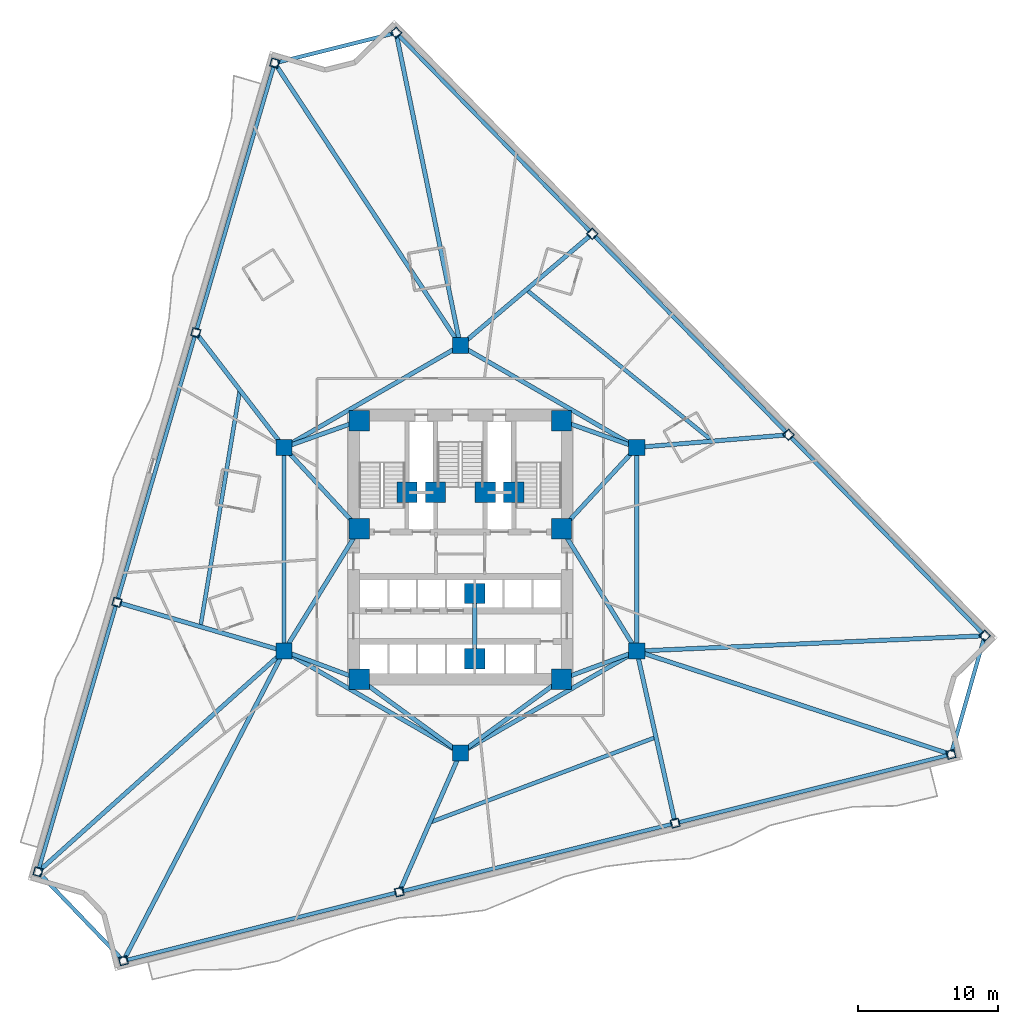
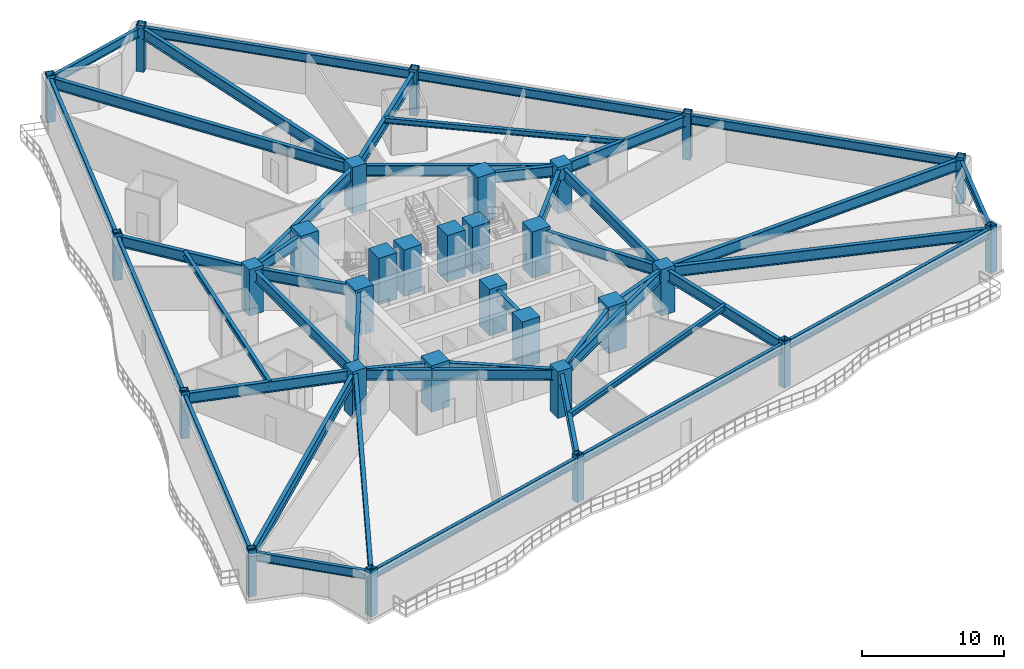
# One storey, part 1 of 9: 44 beams, 30 columns.
"""IFC4 building model written with IfcOpenShell, lengths in metres."""

import ifcopenshell
import ifcopenshell.guid

model = None  # the IFC model being written
_history = None  # IfcOwnerHistory: only IFC2X3 demands one
_inside = {}  # id of a spatial element -> (the spatial element, [elements in it])
_under = {}  # id of a project, library or spatial element -> (it, [spatial elements below it])
_declared = {}  # id of a project -> (the project, [libraries it declares])
_typed = {}  # id of a type object -> (the type object, [elements of that type])
_made_of = {}  # id of a material, layer set ... -> (it, [elements and type objects made of it])


def new_model(schema):
    """Start an empty IFC model of exactly this schema.

    Asked for "IFC4X3", IfcOpenShell would pick the latest addendum, in which some entities
    have other attributes; the version numbers below select the first issue.
    IFC2X3 requires an IfcOwnerHistory on every rooted entity: one is made here for all.
    """
    global model, _history
    if schema == "IFC4X3":
        model = ifcopenshell.file(schema_version=(4, 3, 0, 0))
    else:
        model = ifcopenshell.file(schema=schema)
    _inside.clear()
    _under.clear()
    _declared.clear()
    _typed.clear()
    _made_of.clear()
    _history = None
    if model.schema == "IFC2X3":
        org = make("IfcOrganization", Name="unknown")
        user = make(
            "IfcPersonAndOrganization",
            ThePerson=make("IfcPerson", FamilyName="unknown"),
            TheOrganization=org,
        )
        app = make(
            "IfcApplication",
            ApplicationDeveloper=org,
            Version="unknown",
            ApplicationFullName="unknown",
            ApplicationIdentifier="unknown",
        )
        _history = make(
            "IfcOwnerHistory",
            OwningUser=user,
            OwningApplication=app,
            ChangeAction="ADDED",
            CreationDate=0,
        )
    return model


def make(cls, **values):
    """One entity of the class cls with the attributes given. An attribute that is None is left unset."""
    return model.create_entity(
        cls, **{name: value for name, value in values.items() if value is not None}
    )


def rooted(cls, **values):
    """An entity with a GlobalId (a new one), such as an element, a storey or a relation."""
    return make(cls, GlobalId=ifcopenshell.guid.new(), OwnerHistory=_history, **values)


def si_unit(unit_type, name, prefix=None):
    """IfcSIUnit, for example si_unit("LENGTHUNIT", "METRE", prefix="MILLI")."""
    return make("IfcSIUnit", UnitType=unit_type, Prefix=prefix, Name=name)


def assignment(units):
    """IfcUnitAssignment: the units of a project."""
    return None if units is None else make("IfcUnitAssignment", Units=units)


def point(xyz):
    """IfcCartesianPoint."""
    return None if xyz is None else make("IfcCartesianPoint", Coordinates=xyz)


def direction(xyz):
    """IfcDirection."""
    return None if xyz is None else make("IfcDirection", DirectionRatios=xyz)


def frame(location, z_axis=None, x_axis=None):
    """IfcAxis2Placement3D, a coordinate frame: its origin and axes. An axis left out is left unset."""
    return make(
        "IfcAxis2Placement3D",
        Location=point(location),
        Axis=direction(z_axis),
        RefDirection=direction(x_axis),
    )


def frame_2d(location, x_axis=None):
    """IfcAxis2Placement2D, a coordinate frame in the plane: its origin and x axis."""
    return make(
        "IfcAxis2Placement2D", Location=point(location), RefDirection=direction(x_axis)
    )


def origin():
    """The frame at (0, 0, 0) with its axes left unset."""
    return frame((0.0, 0.0, 0.0))


def origin_2d():
    """The frame at (0, 0) in the plane with its x axis left unset."""
    return frame_2d((0.0, 0.0))


def place(relative_to, where):
    """IfcLocalPlacement: puts the frame where relative to a parent placement (None: the world)."""
    return make(
        "IfcLocalPlacement", PlacementRelTo=relative_to, RelativePlacement=where
    )


def context(
    kind, dimensions, precision=None, world=None, true_north=None, identifier=None
):
    """IfcGeometricRepresentationContext, for example the 3D "Model" context."""
    return make(
        "IfcGeometricRepresentationContext",
        ContextIdentifier=identifier,
        ContextType=kind,
        CoordinateSpaceDimension=dimensions,
        Precision=precision,
        WorldCoordinateSystem=world,
        TrueNorth=true_north,
    )


def subcontext(parent, identifier, kind, view, scale=None):
    """IfcGeometricRepresentationSubContext, for example "Body" below "Model"."""
    return make(
        "IfcGeometricRepresentationSubContext",
        ContextIdentifier=identifier,
        ContextType=kind,
        ParentContext=parent,
        TargetScale=scale,
        TargetView=view,
    )


def project(units=None, contexts=None):
    """IfcProject with its units and contexts."""
    return rooted(
        "IfcProject",
        Name="project",
        RepresentationContexts=contexts,
        UnitsInContext=assignment(units),
    )


def spatial(cls, under=None, at=None, **own):
    """A site, building, storey or space (cls), placed at a placement, below another one or the project."""
    s = rooted(cls, ObjectPlacement=at, **own)
    if under is not None:
        _under.setdefault(under.id(), (under, []))[1].append(s)
    return s


def profile(cls, at=None, kind="AREA", **sizes):
    """A parametric profile (cls). Its sizes go by their IFC names, for example OverallWidth=200.0."""
    return make(cls, ProfileType=kind, Position=at, **sizes)


def rectangle(**sizes):
    """IfcRectangleProfileDef."""
    return profile("IfcRectangleProfileDef", **sizes)


def hollow_rectangle(**sizes):
    """IfcRectangleHollowProfileDef."""
    return profile("IfcRectangleHollowProfileDef", **sizes)


def i_section(**sizes):
    """IfcIShapeProfileDef."""
    return profile("IfcIShapeProfileDef", **sizes)


def extrude(swept, where, along, depth):
    """IfcExtrudedAreaSolid: the profile swept, set in the frame where, extruded along a direction by depth."""
    return make(
        "IfcExtrudedAreaSolid",
        SweptArea=swept,
        Position=where,
        ExtrudedDirection=direction(along),
        Depth=depth,
    )


def shape(context_of_items, identifier, shape_type, items):
    """IfcShapeRepresentation: the items that make up one representation, for example the "Body"."""
    return make(
        "IfcShapeRepresentation",
        ContextOfItems=context_of_items,
        RepresentationIdentifier=identifier,
        RepresentationType=shape_type,
        Items=items,
    )


def material(Name=None, Category=None):
    """IfcMaterial."""
    return make("IfcMaterial", Name=Name, Category=Category)


def material_profile(
    of_material, cross_section, Name=None, Category=None, Priority=None
):
    """IfcMaterialProfile: a cross section and its material."""
    return make(
        "IfcMaterialProfile",
        Name=Name,
        Material=of_material,
        Profile=cross_section,
        Priority=Priority,
        Category=Category,
    )


def profile_set(profiles, Name=None, composite=None):
    """IfcMaterialProfileSet."""
    return make(
        "IfcMaterialProfileSet",
        Name=Name,
        MaterialProfiles=profiles,
        CompositeProfile=composite,
    )


def made_of(thing, what):
    """Note that an element or type object is made of a material, layer set ...; save() writes the relation."""
    if what is not None:
        _made_of.setdefault(what.id(), (what, []))[1].append(thing)
    return thing


def type_object(cls, material=None, **own):
    """A type object (cls), such as IfcWallType, which elements share."""
    return made_of(rooted(cls, **own), material)


def element(
    cls,
    number,
    at=None,
    inside=None,
    cuts=None,
    type_object=None,
    material=None,
    context=None,
    identifier="Body",
    shape_type=None,
    held_by="IfcProductDefinitionShape",
    body=None,
    shapes=None,
    **own,
):
    """One element of the class cls, such as IfcWall. Its Tag is "e" and its number.

    at: its placement. inside: the storey or other place that contains it. cuts: it is an
    opening in that element (IfcRelVoidsElement). A single representation is given by context,
    identifier, shape_type and body (its items); several are given by shapes. held_by: the class
    of the entity that holds the representations. save() writes the other relations.
    """
    e = rooted(cls, Tag="e%d" % number, ObjectPlacement=at, **own)
    if body is not None:
        shapes = [shape(context, identifier, shape_type, body)]
    if shapes is not None:
        e.Representation = make(held_by, Representations=shapes)
    if inside is not None:
        _inside.setdefault(inside.id(), (inside, []))[1].append(e)
    if cuts is not None:
        rooted(
            "IfcRelVoidsElement", RelatingBuildingElement=cuts, RelatedOpeningElement=e
        )
    if type_object is not None:
        _typed.setdefault(type_object.id(), (type_object, []))[1].append(e)
    return made_of(e, material)


def aggregate(whole, parts):
    """IfcRelAggregates: a whole, such as a stair, and the parts it consists of."""
    return rooted("IfcRelAggregates", RelatingObject=whole, RelatedObjects=parts)


def save(model, path):
    """Write the relations noted so far, then the file.

    IfcRelAggregates (storeys below a building ...), IfcRelContainedInSpatialStructure (elements
    in a storey), IfcRelDefinesByType, IfcRelAssociatesMaterial and IfcRelDeclares: one each for
    every whole, place, type object, material and project.
    """
    for whole, parts in _under.values():
        aggregate(whole, parts)
    for where, things in _inside.values():
        rooted(
            "IfcRelContainedInSpatialStructure",
            RelatedElements=things,
            RelatingStructure=where,
        )
    for kind, things in _typed.values():
        rooted("IfcRelDefinesByType", RelatedObjects=things, RelatingType=kind)
    for what, things in _made_of.values():
        rooted("IfcRelAssociatesMaterial", RelatedObjects=things, RelatingMaterial=what)
    for by, libraries in _declared.values():
        rooted("IfcRelDeclares", RelatingContext=by, RelatedDefinitions=libraries)
    model.write(path)


model = new_model("IFC4")

# Units and contexts
model_context = context("Model", 3, precision=1e-05, world=origin(), true_north=direction((0.0, 1.0)))
body_context = subcontext(model_context, "Body", "Model", "MODEL_VIEW")
ifc_project = project(units=[si_unit("LENGTHUNIT", "METRE"), si_unit("AREAUNIT", "SQUARE_METRE"), si_unit("VOLUMEUNIT", "CUBIC_METRE"), si_unit("PLANEANGLEUNIT", "RADIAN"), si_unit("MASSUNIT", "GRAM", prefix="KILO")], contexts=[model_context])

# Site, building, storey
site_placement = place(None, origin())
site = spatial("IfcSite", under=ifc_project, at=site_placement, CompositionType="ELEMENT")
building_placement = place(site_placement, origin())
building = spatial("IfcBuilding", under=site, at=building_placement, Name="Apsidion Concourse Tower", CompositionType="ELEMENT")
storey_placement = place(building_placement, frame((0.0, 0.0, 119.0)))
storey = spatial("IfcBuildingStorey", under=building, at=storey_placement, Name="L27", CompositionType="ELEMENT", Elevation=119.0)

# Columns
ifc_material_1 = material(Name="Structural steel ASTM A572 Grade 50", Category="steel")
ifc_material_profile_1 = material_profile(ifc_material_1, hollow_rectangle(XDim=0.60009765625, YDim=0.60009765625, WallThickness=0.0400390625, at=origin_2d()), Name="BOX600X600X40")
ifc_profile_set_1 = profile_set([ifc_material_profile_1], Name="Structural steel ASTM A572 Grade 50")
column_type_1 = type_object("IfcColumnType", Name="COL-BOX-600", PredefinedType="COLUMN", material=ifc_profile_set_1)
for number, where, z_axis, x_axis, name in (
    (1, (-13.221435546875, 34.61669921875, 0.0), (0.0, 0.0, 1.0), (0.28083422227, 0.959756291775, 0.0), "L27 Rotated Perimeter Column PC01"),
    (2, (-18.839111328125, 15.422119140625, 0.0), (0.0, 0.0, 1.0), (0.28083422227, 0.959756291775, 0.0), "L27 Rotated Perimeter Column PC02"),
    (3, (-24.45703125, -3.772705078125, 0.0), (0.0, 0.0, 1.0), (0.28083422227, 0.959756291775, 0.0), "L27 Rotated Perimeter Column PC03"),
    (4, (-30.074951171875, -22.96728515625, 0.0), (0.0, 0.0, 1.0), (0.28083422227, 0.959756291775, 0.0), "L27 Rotated Perimeter Column PC04"),
    (5, (-23.9912109375, -29.302001953125, 0.0), (0.0, 0.0, 1.0), (0.970295726276, 0.2419218956, 0.0), "L27 Rotated Perimeter Column PC05"),
    (6, (-4.34765625, -24.404296875, 0.0), (0.0, 0.0, 1.0), (0.970295726276, 0.2419218956, 0.0), "L27 Rotated Perimeter Column PC06"),
    (7, (15.2958984375, -19.506591796875, 0.0), (0.0, 0.0, 1.0), (0.970295726276, 0.2419218956, 0.0), "L27 Rotated Perimeter Column PC07"),
    (8, (34.939208984375, -14.60888671875, 0.0), (0.0, 0.0, 1.0), (0.970295726276, 0.2419218956, 0.0), "L27 Rotated Perimeter Column PC08"),
    (9, (37.337158203125, -6.15966796875, 0.0), (0.0, 0.0, 1.0), (-0.698540186739, 0.715570826341, 0.0), "L27 Rotated Perimeter Column PC09"),
    (10, (23.365478515625, 8.15087890625, 0.0), (0.0, 0.0, 1.0), (-0.698540186739, 0.715570826341, 0.0), "L27 Rotated Perimeter Column PC10"),
    (11, (9.393798828125, 22.461181640625, 0.0), (0.0, 0.0, 1.0), (-0.698540186739, 0.715570826341, 0.0), "L27 Rotated Perimeter Column PC11"),
    (12, (-4.57763671875, 36.771728515625, 0.0), (0.0, 0.0, 1.0), (-0.698540186739, 0.715570826341, 0.0), "L27 Rotated Perimeter Column PC12"),
):
    element("IfcColumn", number, at=place(storey_placement, frame(where, z_axis=z_axis, x_axis=x_axis)), inside=storey, type_object=column_type_1, Name=name, PredefinedType="COLUMN", context=body_context, shape_type="SweptSolid", body=[
        extrude(hollow_rectangle(XDim=0.60009765625, YDim=0.60009765625, WallThickness=0.0400390625, at=origin_2d()), origin(), (0.0, 0.0, 1.0), 4.0),
    ])
ifc_material_2 = material(Name="Concrete C50/60", Category="concrete")
ifc_material_profile_2 = material_profile(ifc_material_2, rectangle(XDim=1.14990234375, YDim=1.14990234375, at=origin_2d()), Name="RC 1150x1150")
ifc_profile_set_2 = profile_set([ifc_material_profile_2], Name="Concrete C50/60")
column_type_2 = type_object("IfcColumnType", Name="COL-RC-1150", PredefinedType="COLUMN", material=ifc_profile_set_2)
for number, where, z_axis, x_axis, name in (
    (13, (-12.56005859375, -7.25, 0.0), (0.0, 0.0, 1.0), (1.0, 0.0, 0.0), "L27 Interior Spine Column IC1"),
    (14, (12.56005859375, -7.25, 0.0), (0.0, 0.0, 1.0), (1.0, 0.0, 0.0), "L27 Interior Spine Column IC2"),
    (15, (12.56005859375, 7.25, 0.0), (0.0, 0.0, 1.0), (1.0, 0.0, 0.0), "L27 Interior Spine Column IC3"),
    (16, (0.0, 14.5, 0.0), (0.0, 0.0, 1.0), (1.0, 0.0, 0.0), "L27 Interior Spine Column IC4"),
    (17, (-12.56005859375, 7.25, 0.0), (0.0, 0.0, 1.0), (1.0, 0.0, 0.0), "L27 Interior Spine Column IC5"),
    (18, (0.0, -14.5, 0.0), (0.0, 0.0, 1.0), (1.0, 0.0, 0.0), "L27 Interior Spine Column IC6"),
):
    element("IfcColumn", number, at=place(storey_placement, frame(where, z_axis=z_axis, x_axis=x_axis)), inside=storey, type_object=column_type_2, Name=name, PredefinedType="COLUMN", context=body_context, shape_type="SweptSolid", body=[
        extrude(rectangle(XDim=1.14990234375, YDim=1.14990234375, at=origin_2d()), origin(), (0.0, 0.0, 1.0), 4.0),
    ])
ifc_material_3 = material(Name="Concrete C60/75", Category="concrete")
ifc_material_profile_3 = material_profile(ifc_material_3, rectangle(XDim=1.449951171875, YDim=1.449951171875, at=origin_2d()), Name="RC 1450x1450")
ifc_profile_set_3 = profile_set([ifc_material_profile_3], Name="Concrete C60/75")
column_type_3 = type_object("IfcColumnType", Name="COL-RC-1450", PredefinedType="COLUMN", material=ifc_profile_set_3)
for number, where, z_axis, x_axis, name in (
    (19, (-7.199951171875, -9.25, 0.0), (0.0, 0.0, 1.0), (1.0, 0.0, 0.0), "L27 Core Super-Column SC1"),
    (20, (7.199951171875, -9.25, 0.0), (0.0, 0.0, 1.0), (1.0, 0.0, 0.0), "L27 Core Super-Column SC2"),
    (21, (7.199951171875, 1.449951171875, 0.0), (0.0, 0.0, 1.0), (1.0, 0.0, 0.0), "L27 Core Super-Column SC3"),
    (22, (7.199951171875, 9.14990234375, 0.0), (0.0, 0.0, 1.0), (1.0, 0.0, 0.0), "L27 Core Super-Column SC4"),
    (23, (-7.199951171875, 9.14990234375, 0.0), (0.0, 0.0, 1.0), (1.0, 0.0, 0.0), "L27 Core Super-Column SC5"),
    (24, (-7.199951171875, 1.449951171875, 0.0), (0.0, 0.0, 1.0), (1.0, 0.0, 0.0), "L27 Core Super-Column SC6"),
    (25, (-3.800048828125, 4.050048828125, 0.0), (0.0, 0.0, 1.0), (1.0, 0.0, 0.0), "L27 Core Super-Column CC1"),
    (26, (3.800048828125, 4.050048828125, 0.0), (0.0, 0.0, 1.0), (1.0, 0.0, 0.0), "L27 Core Super-Column CC2"),
    (27, (-1.77490234375, 4.050048828125, 0.0), (0.0, 0.0, 1.0), (1.0, 0.0, 0.0), "L27 Core Super-Column CC3"),
    (28, (1.77490234375, 4.050048828125, 0.0), (0.0, 0.0, 1.0), (1.0, 0.0, 0.0), "L27 Core Super-Column CC4"),
    (29, (1.02490234375, -3.14990234375, 0.0), (0.0, 0.0, 1.0), (1.0, 0.0, 0.0), "L27 Core Super-Column CC5"),
    (30, (1.02490234375, -7.800048828125, 0.0), (0.0, 0.0, 1.0), (1.0, 0.0, 0.0), "L27 Core Super-Column CC6"),
):
    element("IfcColumn", number, at=place(storey_placement, frame(where, z_axis=z_axis, x_axis=x_axis)), inside=storey, type_object=column_type_3, Name=name, PredefinedType="COLUMN", context=body_context, shape_type="SweptSolid", body=[
        extrude(rectangle(XDim=1.449951171875, YDim=1.449951171875, at=origin_2d()), origin(), (0.0, 0.0, 1.0), 4.0),
    ])

# Beams
ifc_material_4 = material(Name="Structural steel ASTM A992 Grade 50", Category="steel")
ifc_material_profile_4 = material_profile(ifc_material_4, i_section(OverallWidth=0.280029296875, OverallDepth=0.462890625, WebThickness=0.0107421875, FlangeThickness=0.017333984375, at=origin_2d()), Name="W18X76")
ifc_profile_set_4 = profile_set([ifc_material_profile_4], Name="Structural steel ASTM A992 Grade 50")
beam_type_1 = type_object("IfcBeamType", Name="BM-FL-W18M", PredefinedType="BEAM", material=ifc_profile_set_4)
beam_1_placement = place(storey_placement, frame((-15.69970703125, 11.3359375, 3.5185546875), z_axis=(-0.164452299767, -0.986385036941, 0.0), x_axis=(0.986385036941, -0.164452299767, 0.0)))
element("IfcBeam", 31, at=beam_1_placement, inside=storey, type_object=beam_type_1, Name="L27 Secondary Floor Beam SEC-F1", PredefinedType="BEAM", context=body_context, shape_type="SweptSolid", body=[
    extrude(i_section(OverallWidth=0.280029296875, OverallDepth=0.462890625, WebThickness=0.0107421875, FlangeThickness=0.017333984375, at=origin_2d()), origin(), (0.0, 0.0, 1.0), 17.079833984375),
])
beam_2_placement = place(storey_placement, frame((-2.173828125, -19.4521484375, 3.5185546875), z_axis=(0.935648218448, 0.352934004193, 0.0), x_axis=(-0.352934004193, 0.935648218448, 0.0)))
element("IfcBeam", 32, at=beam_2_placement, inside=storey, type_object=beam_type_1, Name="L27 Secondary Floor Beam SEC-F2", PredefinedType="BEAM", context=body_context, shape_type="SweptSolid", body=[
    extrude(i_section(OverallWidth=0.280029296875, OverallDepth=0.462890625, WebThickness=0.0107421875, FlangeThickness=0.017333984375, at=origin_2d()), origin(), (0.0, 0.0, 1.0), 17.209228515625),
])
beam_3_placement = place(storey_placement, frame((17.962646484375, 7.700439453125, 3.5185546875), z_axis=(-0.776058076577, 0.630661447831, 0.0), x_axis=(-0.630661447831, -0.776058076577, 0.0)))
element("IfcBeam", 33, at=beam_3_placement, inside=storey, type_object=beam_type_1, Name="L27 Secondary Floor Beam SEC-F3", PredefinedType="BEAM", context=body_context, shape_type="SweptSolid", body=[
    extrude(i_section(OverallWidth=0.280029296875, OverallDepth=0.462890625, WebThickness=0.0107421875, FlangeThickness=0.017333984375, at=origin_2d()), origin(), (0.0, 0.0, 1.0), 17.093505859375),
])
ifc_material_profile_5 = material_profile(ifc_material_4, i_section(OverallWidth=0.31005859375, OverallDepth=0.931884765625, WebThickness=0.02099609375, FlangeThickness=0.034423828125, at=origin_2d()), Name="W36X210")
ifc_profile_set_5 = profile_set([ifc_material_profile_5], Name="Structural steel ASTM A992 Grade 50")
beam_type_2 = type_object("IfcBeamType", Name="BM-G-W36", PredefinedType="USERDEFINED", material=ifc_profile_set_5)
beam_4_placement = place(storey_placement, frame((-12.185302734375, -7.389892578125, 3.283935546875), z_axis=(0.936913021145, -0.349562570664, 0.0), x_axis=(0.349562570664, 0.936913021145, 0.0)))
element("IfcBeam", 34, at=beam_4_placement, inside=storey, type_object=beam_type_2, Name="L27 Core Coupling Girder IC1-SC1", ObjectType="GIRDER", PredefinedType="USERDEFINED", context=body_context, shape_type="SweptSolid", body=[
    extrude(i_section(OverallWidth=0.31005859375, OverallDepth=0.931884765625, WebThickness=0.02099609375, FlangeThickness=0.034423828125, at=origin_2d()), origin(), (0.0, 0.0, 1.0), 4.921142578125),
])
beam_5_placement = place(storey_placement, frame((-12.35009765625, -6.909423828125, 3.283935546875), z_axis=(0.524524009763, 0.851395656074, 0.0), x_axis=(-0.851395656074, 0.524524009763, 0.0)))
element("IfcBeam", 35, at=beam_5_placement, inside=storey, type_object=beam_type_2, Name="L27 Core Coupling Girder IC1-SC6", ObjectType="GIRDER", PredefinedType="USERDEFINED", context=body_context, shape_type="SweptSolid", body=[
    extrude(i_section(OverallWidth=0.31005859375, OverallDepth=0.931884765625, WebThickness=0.02099609375, FlangeThickness=0.034423828125, at=origin_2d()), origin(), (0.0, 0.0, 1.0), 9.41845703125),
])
beam_6_placement = place(storey_placement, frame((12.185302734375, -7.389892578125, 3.283935546875), z_axis=(-0.936913021145, -0.349562570664, 0.0), x_axis=(0.349562570664, -0.936913021145, 0.0)))
element("IfcBeam", 36, at=beam_6_placement, inside=storey, type_object=beam_type_2, Name="L27 Core Coupling Girder IC2-SC2", ObjectType="GIRDER", PredefinedType="USERDEFINED", context=body_context, shape_type="SweptSolid", body=[
    extrude(i_section(OverallWidth=0.31005859375, OverallDepth=0.931884765625, WebThickness=0.02099609375, FlangeThickness=0.034423828125, at=origin_2d()), origin(), (0.0, 0.0, 1.0), 4.921142578125),
])
beam_7_placement = place(storey_placement, frame((12.35009765625, -6.909423828125, 3.283935546875), z_axis=(-0.524524009763, 0.851395656074, 0.0), x_axis=(-0.851395656074, -0.524524009763, 0.0)))
element("IfcBeam", 37, at=beam_7_placement, inside=storey, type_object=beam_type_2, Name="L27 Core Coupling Girder IC2-SC3", ObjectType="GIRDER", PredefinedType="USERDEFINED", context=body_context, shape_type="SweptSolid", body=[
    extrude(i_section(OverallWidth=0.31005859375, OverallDepth=0.931884765625, WebThickness=0.02099609375, FlangeThickness=0.034423828125, at=origin_2d()), origin(), (0.0, 0.0, 1.0), 9.41845703125),
])
beam_8_placement = place(storey_placement, frame((12.28857421875, 6.956298828125, 3.283935546875), z_axis=(-0.678712876106, -0.73440372535, 0.0), x_axis=(0.73440372535, -0.678712876106, 0.0)))
element("IfcBeam", 38, at=beam_8_placement, inside=storey, type_object=beam_type_2, Name="L27 Core Coupling Girder IC3-SC3", ObjectType="GIRDER", PredefinedType="USERDEFINED", context=body_context, shape_type="SweptSolid", body=[
    extrude(i_section(OverallWidth=0.31005859375, OverallDepth=0.931884765625, WebThickness=0.02099609375, FlangeThickness=0.034423828125, at=origin_2d()), origin(), (0.0, 0.0, 1.0), 7.097412109375),
])
beam_9_placement = place(storey_placement, frame((12.18310546875, 7.383544921875, 3.283935546875), z_axis=(-0.942533844539, 0.334110688094, 0.0), x_axis=(-0.334110688094, -0.942533844539, 0.0)))
element("IfcBeam", 39, at=beam_9_placement, inside=storey, type_object=beam_type_2, Name="L27 Core Coupling Girder IC3-SC4", ObjectType="GIRDER", PredefinedType="USERDEFINED", context=body_context, shape_type="SweptSolid", body=[
    extrude(i_section(OverallWidth=0.31005859375, OverallDepth=0.931884765625, WebThickness=0.02099609375, FlangeThickness=0.034423828125, at=origin_2d()), origin(), (0.0, 0.0, 1.0), 4.886962890625),
])
beam_10_placement = place(storey_placement, frame((-12.28857421875, 6.956298828125, 3.283935546875), z_axis=(0.678712876106, -0.73440372535, 0.0), x_axis=(0.73440372535, 0.678712876106, 0.0)))
element("IfcBeam", 40, at=beam_10_placement, inside=storey, type_object=beam_type_2, Name="L27 Core Coupling Girder IC5-SC6", ObjectType="GIRDER", PredefinedType="USERDEFINED", context=body_context, shape_type="SweptSolid", body=[
    extrude(i_section(OverallWidth=0.31005859375, OverallDepth=0.931884765625, WebThickness=0.02099609375, FlangeThickness=0.034423828125, at=origin_2d()), origin(), (0.0, 0.0, 1.0), 7.097412109375),
])
beam_11_placement = place(storey_placement, frame((-12.18310546875, 7.383544921875, 3.283935546875), z_axis=(0.942533844539, 0.334110688094, 0.0), x_axis=(-0.334110688094, 0.942533844539, 0.0)))
element("IfcBeam", 41, at=beam_11_placement, inside=storey, type_object=beam_type_2, Name="L27 Core Coupling Girder IC5-SC5", ObjectType="GIRDER", PredefinedType="USERDEFINED", context=body_context, shape_type="SweptSolid", body=[
    extrude(i_section(OverallWidth=0.31005859375, OverallDepth=0.931884765625, WebThickness=0.02099609375, FlangeThickness=0.034423828125, at=origin_2d()), origin(), (0.0, 0.0, 1.0), 4.886962890625),
])
for number, where, z_axis, x_axis, name in (
    (42, (-0.3232421875, -14.264404296875, 3.283935546875), (-0.807993498909, 0.589191399905, 0.0), (-0.589191399905, -0.807993498909, 0.0), "L27 Core Coupling Girder IC6-SC1"),
    (43, (0.3232421875, -14.264404296875, 3.283935546875), (0.807993498909, 0.589191399905, 0.0), (-0.589191399905, 0.807993498909, 0.0), "L27 Core Coupling Girder IC6-SC2"),
):
    element("IfcBeam", number, at=place(storey_placement, frame(where, z_axis=z_axis, x_axis=x_axis)), inside=storey, type_object=beam_type_2, Name=name, ObjectType="GIRDER", PredefinedType="USERDEFINED", context=body_context, shape_type="SweptSolid", body=[
        extrude(i_section(OverallWidth=0.31005859375, OverallDepth=0.931884765625, WebThickness=0.02099609375, FlangeThickness=0.034423828125, at=origin_2d()), origin(), (0.0, 0.0, 1.0), 8.11083984375),
    ])
beam_12_placement = place(storey_placement, frame((-12.56005859375, -6.85009765625, 3.283935546875), z_axis=(0.0, 1.0, 0.0), x_axis=(-1.0, 0.0, 0.0)))
element("IfcBeam", 44, at=beam_12_placement, inside=storey, type_object=beam_type_2, Name="L27 Core Coupling Girder IC1-IC5", ObjectType="GIRDER", PredefinedType="USERDEFINED", context=body_context, shape_type="SweptSolid", body=[
    extrude(i_section(OverallWidth=0.31005859375, OverallDepth=0.931884765625, WebThickness=0.02099609375, FlangeThickness=0.034423828125, at=origin_2d()), origin(), (0.0, 0.0, 1.0), 13.7001953125),
])
for number, where, z_axis, x_axis, name in (
    (45, (-12.213623046875, 7.449951171875, 3.283935546875), (0.866070471464, 0.499921932364, 0.0), (-0.499921932364, 0.866070471464, 0.0), "L27 Core Coupling Girder IC5-IC4"),
    (46, (0.346435546875, 14.300048828125, 3.283935546875), (0.866070471464, -0.499921932364, 0.0), (0.499921932364, 0.866070471464, 0.0), "L27 Core Coupling Girder IC4-IC3"),
):
    element("IfcBeam", number, at=place(storey_placement, frame(where, z_axis=z_axis, x_axis=x_axis)), inside=storey, type_object=beam_type_2, Name=name, ObjectType="GIRDER", PredefinedType="USERDEFINED", context=body_context, shape_type="SweptSolid", body=[
        extrude(i_section(OverallWidth=0.31005859375, OverallDepth=0.931884765625, WebThickness=0.02099609375, FlangeThickness=0.034423828125, at=origin_2d()), origin(), (0.0, 0.0, 1.0), 13.702392578125),
    ])
beam_13_placement = place(storey_placement, frame((12.56005859375, 6.85009765625, 3.283935546875), z_axis=(0.0, -1.0, 0.0), x_axis=(1.0, 0.0, 0.0)))
element("IfcBeam", 47, at=beam_13_placement, inside=storey, type_object=beam_type_2, Name="L27 Core Coupling Girder IC3-IC2", ObjectType="GIRDER", PredefinedType="USERDEFINED", context=body_context, shape_type="SweptSolid", body=[
    extrude(i_section(OverallWidth=0.31005859375, OverallDepth=0.931884765625, WebThickness=0.02099609375, FlangeThickness=0.034423828125, at=origin_2d()), origin(), (0.0, 0.0, 1.0), 13.7001953125),
])
for number, where, z_axis, x_axis, name in (
    (48, (12.213623046875, -7.449951171875, 3.283935546875), (-0.866070471464, -0.499921932364, 0.0), (0.499921932364, -0.866070471464, 0.0), "L27 Core Coupling Girder IC2-IC6"),
    (49, (-0.346435546875, -14.300048828125, 3.283935546875), (-0.866070471464, 0.499921932364, 0.0), (-0.499921932364, -0.866070471464, 0.0), "L27 Core Coupling Girder IC6-IC1"),
):
    element("IfcBeam", number, at=place(storey_placement, frame(where, z_axis=z_axis, x_axis=x_axis)), inside=storey, type_object=beam_type_2, Name=name, ObjectType="GIRDER", PredefinedType="USERDEFINED", context=body_context, shape_type="SweptSolid", body=[
        extrude(i_section(OverallWidth=0.31005859375, OverallDepth=0.931884765625, WebThickness=0.02099609375, FlangeThickness=0.034423828125, at=origin_2d()), origin(), (0.0, 0.0, 1.0), 13.702392578125),
    ])
beam_14_placement = place(storey_placement, frame((1.02490234375, -3.550048828125, 3.283935546875), z_axis=(0.0, -1.0, 0.0), x_axis=(1.0, 0.0, 0.0)))
element("IfcBeam", 50, at=beam_14_placement, inside=storey, type_object=beam_type_2, Name="L27 Core Coupling Girder CC5-CC6", ObjectType="GIRDER", PredefinedType="USERDEFINED", context=body_context, shape_type="SweptSolid", body=[
    extrude(i_section(OverallWidth=0.31005859375, OverallDepth=0.931884765625, WebThickness=0.02099609375, FlangeThickness=0.034423828125, at=origin_2d()), origin(), (0.0, 0.0, 1.0), 3.849853515625),
])
beam_15_placement = place(storey_placement, frame((-0.120849609375, 14.683837890625, 3.283935546875), z_axis=(-0.549231276492, 0.835670392513, 0.0), x_axis=(-0.835670392513, -0.549231276492, 0.0)))
element("IfcBeam", 51, at=beam_15_placement, inside=storey, type_object=beam_type_2, Name="L27 Radial Floor Girder RAD-01", ObjectType="GIRDER", PredefinedType="USERDEFINED", context=body_context, shape_type="SweptSolid", body=[
    extrude(i_section(OverallWidth=0.31005859375, OverallDepth=0.931884765625, WebThickness=0.02099609375, FlangeThickness=0.034423828125, at=origin_2d()), origin(), (0.0, 0.0, 1.0), 23.632568359375),
])
beam_16_placement = place(storey_placement, frame((-12.694091796875, 7.42431640625, 3.283935546875), z_axis=(-0.609271770486, 0.792961480583, 0.0), x_axis=(-0.792961480583, -0.609271770486, 0.0)))
element("IfcBeam", 52, at=beam_16_placement, inside=storey, type_object=beam_type_2, Name="L27 Radial Floor Girder RAD-02", ObjectType="GIRDER", PredefinedType="USERDEFINED", context=body_context, shape_type="SweptSolid", body=[
    extrude(i_section(OverallWidth=0.31005859375, OverallDepth=0.931884765625, WebThickness=0.02099609375, FlangeThickness=0.034423828125, at=origin_2d()), origin(), (0.0, 0.0, 1.0), 9.865966796875),
])
beam_17_placement = place(storey_placement, frame((-12.771240234375, -7.188232421875, 3.283935546875), z_axis=(-0.959842483231, 0.28053949345, 0.0), x_axis=(-0.28053949345, -0.959842483231, 0.0)))
element("IfcBeam", 53, at=beam_17_placement, inside=storey, type_object=beam_type_2, Name="L27 Radial Floor Girder RAD-03", ObjectType="GIRDER", PredefinedType="USERDEFINED", context=body_context, shape_type="SweptSolid", body=[
    extrude(i_section(OverallWidth=0.31005859375, OverallDepth=0.931884765625, WebThickness=0.02099609375, FlangeThickness=0.034423828125, at=origin_2d()), origin(), (0.0, 0.0, 1.0), 11.95458984375),
])
beam_18_placement = place(storey_placement, frame((-12.7236328125, -7.39697265625, 3.283935546875), z_axis=(-0.744271119318, -0.667877609259, 0.0), x_axis=(0.667877609259, -0.744271119318, 0.0)))
element("IfcBeam", 54, at=beam_18_placement, inside=storey, type_object=beam_type_2, Name="L27 Radial Floor Girder RAD-04", ObjectType="GIRDER", PredefinedType="USERDEFINED", context=body_context, shape_type="SweptSolid", body=[
    extrude(i_section(OverallWidth=0.31005859375, OverallDepth=0.931884765625, WebThickness=0.02099609375, FlangeThickness=0.034423828125, at=origin_2d()), origin(), (0.0, 0.0, 1.0), 23.093017578125),
])
beam_19_placement = place(storey_placement, frame((-12.6611328125, -7.4453125, 3.283935546875), z_axis=(-0.460218148247, -0.88780586618, 0.0), x_axis=(0.88780586618, -0.460218148247, 0.0)))
element("IfcBeam", 55, at=beam_19_placement, inside=storey, type_object=beam_type_2, Name="L27 Radial Floor Girder RAD-05", ObjectType="GIRDER", PredefinedType="USERDEFINED", context=body_context, shape_type="SweptSolid", body=[
    extrude(i_section(OverallWidth=0.31005859375, OverallDepth=0.931884765625, WebThickness=0.02099609375, FlangeThickness=0.034423828125, at=origin_2d()), origin(), (0.0, 0.0, 1.0), 24.398681640625),
])
beam_20_placement = place(storey_placement, frame((-0.08837890625, -14.701416015625, 3.283935546875), z_axis=(-0.401951572059, -0.915660927265, 0.0), x_axis=(0.915660927265, -0.401951572059, 0.0)))
element("IfcBeam", 56, at=beam_20_placement, inside=storey, type_object=beam_type_2, Name="L27 Radial Floor Girder RAD-06", ObjectType="GIRDER", PredefinedType="USERDEFINED", context=body_context, shape_type="SweptSolid", body=[
    extrude(i_section(OverallWidth=0.31005859375, OverallDepth=0.931884765625, WebThickness=0.02099609375, FlangeThickness=0.034423828125, at=origin_2d()), origin(), (0.0, 0.0, 1.0), 10.376708984375),
])
beam_21_placement = place(storey_placement, frame((12.60791015625, -7.464599609375, 3.283935546875), z_axis=(0.217841210103, -0.975984224863, 0.0), x_axis=(0.975984224863, 0.217841210103, 0.0)))
element("IfcBeam", 57, at=beam_21_placement, inside=storey, type_object=beam_type_2, Name="L27 Radial Floor Girder RAD-07", ObjectType="GIRDER", PredefinedType="USERDEFINED", context=body_context, shape_type="SweptSolid", body=[
    extrude(i_section(OverallWidth=0.31005859375, OverallDepth=0.931884765625, WebThickness=0.02099609375, FlangeThickness=0.034423828125, at=origin_2d()), origin(), (0.0, 0.0, 1.0), 12.118408203125),
])
beam_22_placement = place(storey_placement, frame((12.76904296875, -7.318603515625, 3.283935546875), z_axis=(0.949956513511, -0.312382173687, 0.0), x_axis=(0.312382173687, 0.949956513511, 0.0)))
element("IfcBeam", 58, at=beam_22_placement, inside=storey, type_object=beam_type_2, Name="L27 Radial Floor Girder RAD-08", ObjectType="GIRDER", PredefinedType="USERDEFINED", context=body_context, shape_type="SweptSolid", body=[
    extrude(i_section(OverallWidth=0.31005859375, OverallDepth=0.931884765625, WebThickness=0.02099609375, FlangeThickness=0.034423828125, at=origin_2d()), origin(), (0.0, 0.0, 1.0), 23.1181640625),
])
beam_23_placement = place(storey_placement, frame((12.77978515625, -7.240234375, 3.283935546875), z_axis=(0.999033044111, 0.043965631729, 0.0), x_axis=(-0.043965631729, 0.999033044111, 0.0)))
element("IfcBeam", 59, at=beam_23_placement, inside=storey, type_object=beam_type_2, Name="L27 Radial Floor Girder RAD-09", ObjectType="GIRDER", PredefinedType="USERDEFINED", context=body_context, shape_type="SweptSolid", body=[
    extrude(i_section(OverallWidth=0.31005859375, OverallDepth=0.931884765625, WebThickness=0.02099609375, FlangeThickness=0.034423828125, at=origin_2d()), origin(), (0.0, 0.0, 1.0), 24.36083984375),
])
beam_24_placement = place(storey_placement, frame((12.779296875, 7.268310546875, 3.283935546875), z_axis=(0.996543006218, 0.083078497563, 0.0), x_axis=(-0.083078497563, 0.996543006218, 0.0)))
element("IfcBeam", 60, at=beam_24_placement, inside=storey, type_object=beam_type_2, Name="L27 Radial Floor Girder RAD-10", ObjectType="GIRDER", PredefinedType="USERDEFINED", context=body_context, shape_type="SweptSolid", body=[
    extrude(i_section(OverallWidth=0.31005859375, OverallDepth=0.931884765625, WebThickness=0.02099609375, FlangeThickness=0.034423828125, at=origin_2d()), origin(), (0.0, 0.0, 1.0), 10.40283203125),
])
beam_25_placement = place(storey_placement, frame((0.167724609375, 14.64208984375, 3.283935546875), z_axis=(0.762877552184, 0.646542991899, 0.0), x_axis=(-0.646542991899, 0.762877552184, 0.0)))
element("IfcBeam", 61, at=beam_25_placement, inside=storey, type_object=beam_type_2, Name="L27 Radial Floor Girder RAD-11", ObjectType="GIRDER", PredefinedType="USERDEFINED", context=body_context, shape_type="SweptSolid", body=[
    extrude(i_section(OverallWidth=0.31005859375, OverallDepth=0.931884765625, WebThickness=0.02099609375, FlangeThickness=0.034423828125, at=origin_2d()), origin(), (0.0, 0.0, 1.0), 11.8740234375),
])
beam_26_placement = place(storey_placement, frame((-0.044189453125, 14.715576171875, 3.283935546875), z_axis=(-0.201337476768, 0.979521934644, 0.0), x_axis=(-0.979521934644, -0.201337476768, 0.0)))
element("IfcBeam", 62, at=beam_26_placement, inside=storey, type_object=beam_type_2, Name="L27 Radial Floor Girder RAD-12", ObjectType="GIRDER", PredefinedType="USERDEFINED", context=body_context, shape_type="SweptSolid", body=[
    extrude(i_section(OverallWidth=0.31005859375, OverallDepth=0.931884765625, WebThickness=0.02099609375, FlangeThickness=0.034423828125, at=origin_2d()), origin(), (0.0, 0.0, 1.0), 22.297119140625),
])
ifc_material_profile_6 = material_profile(ifc_material_4, i_section(OverallWidth=0.26806640625, OverallDepth=0.77001953125, WebThickness=0.015625, FlangeThickness=0.025390625, at=origin_2d()), Name="W30X132")
ifc_profile_set_6 = profile_set([ifc_material_profile_6], Name="Structural steel ASTM A992 Grade 50")
beam_type_3 = type_object("IfcBeamType", Name="BM-SP-W30", PredefinedType="SPANDREL", material=ifc_profile_set_6)
beam_27_placement = place(storey_placement, frame((-13.283203125, 34.405517578125, 3.364990234375), z_axis=(-0.280887536845, -0.959740689793, 0.0), x_axis=(0.959740689793, -0.280887536845, 0.0)))
element("IfcBeam", 63, at=beam_27_placement, inside=storey, type_object=beam_type_3, Name="L27 Perimeter Spandrel Girder SP-01", PredefinedType="SPANDREL", context=body_context, shape_type="SweptSolid", body=[
    extrude(i_section(OverallWidth=0.26806640625, OverallDepth=0.77001953125, WebThickness=0.015625, FlangeThickness=0.025390625, at=origin_2d()), origin(), (0.0, 0.0, 1.0), 19.559814453125),
])
beam_28_placement = place(storey_placement, frame((-18.90087890625, 15.2109375, 3.364990234375), z_axis=(-0.28089903368, -0.959737324937, 0.0), x_axis=(0.959737324937, -0.28089903368, 0.0)))
element("IfcBeam", 64, at=beam_28_placement, inside=storey, type_object=beam_type_3, Name="L27 Perimeter Spandrel Girder SP-02", PredefinedType="SPANDREL", context=body_context, shape_type="SweptSolid", body=[
    extrude(i_section(OverallWidth=0.26806640625, OverallDepth=0.77001953125, WebThickness=0.015625, FlangeThickness=0.025390625, at=origin_2d()), origin(), (0.0, 0.0, 1.0), 19.56005859375),
])
beam_29_placement = place(storey_placement, frame((-24.518798828125, -3.98388671875, 3.364990234375), z_axis=(-0.280902398632, -0.959736340066, 0.0), x_axis=(0.959736340066, -0.280902398632, 0.0)))
element("IfcBeam", 65, at=beam_29_placement, inside=storey, type_object=beam_type_3, Name="L27 Perimeter Spandrel Girder SP-03", PredefinedType="SPANDREL", context=body_context, shape_type="SweptSolid", body=[
    extrude(i_section(OverallWidth=0.26806640625, OverallDepth=0.77001953125, WebThickness=0.015625, FlangeThickness=0.025390625, at=origin_2d()), origin(), (0.0, 0.0, 1.0), 19.559814453125),
])
beam_30_placement = place(storey_placement, frame((-29.922607421875, -23.1259765625, 3.364990234375), z_axis=(0.692682269789, -0.721242866946, 0.0), x_axis=(0.721242866946, 0.692682269789, 0.0)))
element("IfcBeam", 66, at=beam_30_placement, inside=storey, type_object=beam_type_3, Name="L27 Perimeter Spandrel Girder SP-04", PredefinedType="SPANDREL", context=body_context, shape_type="SweptSolid", body=[
    extrude(i_section(OverallWidth=0.26806640625, OverallDepth=0.77001953125, WebThickness=0.015625, FlangeThickness=0.025390625, at=origin_2d()), origin(), (0.0, 0.0, 1.0), 8.343017578125),
])
beam_31_placement = place(storey_placement, frame((-23.777587890625, -29.248779296875, 3.364990234375), z_axis=(0.970295310837, 0.24192356183, 0.0), x_axis=(-0.24192356183, 0.970295310837, 0.0)))
element("IfcBeam", 67, at=beam_31_placement, inside=storey, type_object=beam_type_3, Name="L27 Perimeter Spandrel Girder SP-05", PredefinedType="SPANDREL", context=body_context, shape_type="SweptSolid", body=[
    extrude(i_section(OverallWidth=0.26806640625, OverallDepth=0.77001953125, WebThickness=0.015625, FlangeThickness=0.025390625, at=origin_2d()), origin(), (0.0, 0.0, 1.0), 19.804931640625),
])
beam_32_placement = place(storey_placement, frame((-4.134033203125, -24.35107421875, 3.364990234375), z_axis=(0.970294589343, 0.241926455544, 0.0), x_axis=(-0.241926455544, 0.970294589343, 0.0)))
element("IfcBeam", 68, at=beam_32_placement, inside=storey, type_object=beam_type_3, Name="L27 Perimeter Spandrel Girder SP-06", PredefinedType="SPANDREL", context=body_context, shape_type="SweptSolid", body=[
    extrude(i_section(OverallWidth=0.26806640625, OverallDepth=0.77001953125, WebThickness=0.015625, FlangeThickness=0.025390625, at=origin_2d()), origin(), (0.0, 0.0, 1.0), 19.8046875),
])
beam_33_placement = place(storey_placement, frame((15.50927734375, -19.453369140625, 3.364990234375), z_axis=(0.970295310837, 0.24192356183, 0.0), x_axis=(-0.24192356183, 0.970295310837, 0.0)))
element("IfcBeam", 69, at=beam_33_placement, inside=storey, type_object=beam_type_3, Name="L27 Perimeter Spandrel Girder SP-07", PredefinedType="SPANDREL", context=body_context, shape_type="SweptSolid", body=[
    extrude(i_section(OverallWidth=0.26806640625, OverallDepth=0.77001953125, WebThickness=0.015625, FlangeThickness=0.025390625, at=origin_2d()), origin(), (0.0, 0.0, 1.0), 19.804931640625),
])
beam_34_placement = place(storey_placement, frame((34.99951171875, -14.397216796875, 3.364990234375), z_axis=(0.272993072399, 0.962015999047, 0.0), x_axis=(-0.962015999047, 0.272993072399, 0.0)))
element("IfcBeam", 70, at=beam_34_placement, inside=storey, type_object=beam_type_3, Name="L27 Perimeter Spandrel Girder SP-08", PredefinedType="SPANDREL", context=body_context, shape_type="SweptSolid", body=[
    extrude(i_section(OverallWidth=0.26806640625, OverallDepth=0.77001953125, WebThickness=0.015625, FlangeThickness=0.025390625, at=origin_2d()), origin(), (0.0, 0.0, 1.0), 8.343017578125),
])
beam_35_placement = place(storey_placement, frame((37.183349609375, -6.002197265625, 3.364990234375), z_axis=(-0.698580853564, 0.715531125133, 0.0), x_axis=(-0.715531125133, -0.698580853564, 0.0)))
element("IfcBeam", 71, at=beam_35_placement, inside=storey, type_object=beam_type_3, Name="L27 Perimeter Spandrel Girder SP-09", PredefinedType="SPANDREL", context=body_context, shape_type="SweptSolid", body=[
    extrude(i_section(OverallWidth=0.26806640625, OverallDepth=0.77001953125, WebThickness=0.015625, FlangeThickness=0.025390625, at=origin_2d()), origin(), (0.0, 0.0, 1.0), 19.559814453125),
])
beam_36_placement = place(storey_placement, frame((23.2119140625, 8.30810546875, 3.364990234375), z_axis=(-0.698581004946, 0.715530977337, 0.0), x_axis=(-0.715530977337, -0.698581004946, 0.0)))
element("IfcBeam", 72, at=beam_36_placement, inside=storey, type_object=beam_type_3, Name="L27 Perimeter Spandrel Girder SP-10", PredefinedType="SPANDREL", context=body_context, shape_type="SweptSolid", body=[
    extrude(i_section(OverallWidth=0.26806640625, OverallDepth=0.77001953125, WebThickness=0.015625, FlangeThickness=0.025390625, at=origin_2d()), origin(), (0.0, 0.0, 1.0), 19.56005859375),
])
beam_37_placement = place(storey_placement, frame((9.240234375, 22.61865234375, 3.364990234375), z_axis=(-0.698587243968, 0.715524886056, 0.0), x_axis=(-0.715524886056, -0.698587243968, 0.0)))
element("IfcBeam", 73, at=beam_37_placement, inside=storey, type_object=beam_type_3, Name="L27 Perimeter Spandrel Girder SP-11", PredefinedType="SPANDREL", context=body_context, shape_type="SweptSolid", body=[
    extrude(i_section(OverallWidth=0.26806640625, OverallDepth=0.77001953125, WebThickness=0.015625, FlangeThickness=0.025390625, at=origin_2d()), origin(), (0.0, 0.0, 1.0), 19.559814453125),
])
beam_38_placement = place(storey_placement, frame((-4.791259765625, 36.718505859375, 3.364990234375), z_axis=(-0.970296632691, -0.241918260137, 0.0), x_axis=(0.241918260137, -0.970296632691, 0.0)))
element("IfcBeam", 74, at=beam_38_placement, inside=storey, type_object=beam_type_3, Name="L27 Perimeter Spandrel Girder SP-12", PredefinedType="SPANDREL", context=body_context, shape_type="SweptSolid", body=[
    extrude(i_section(OverallWidth=0.26806640625, OverallDepth=0.77001953125, WebThickness=0.015625, FlangeThickness=0.025390625, at=origin_2d()), origin(), (0.0, 0.0, 1.0), 8.468017578125),
])

save(model, "model.ifc")
